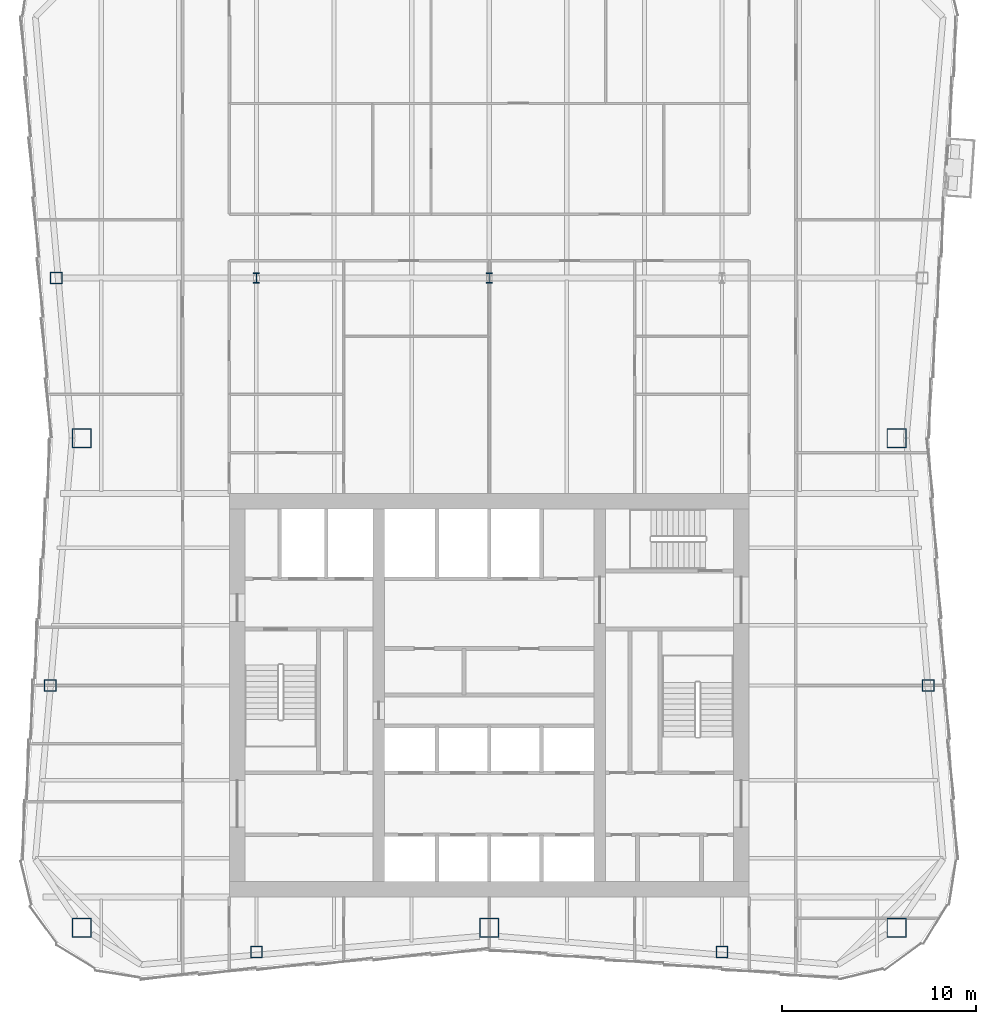
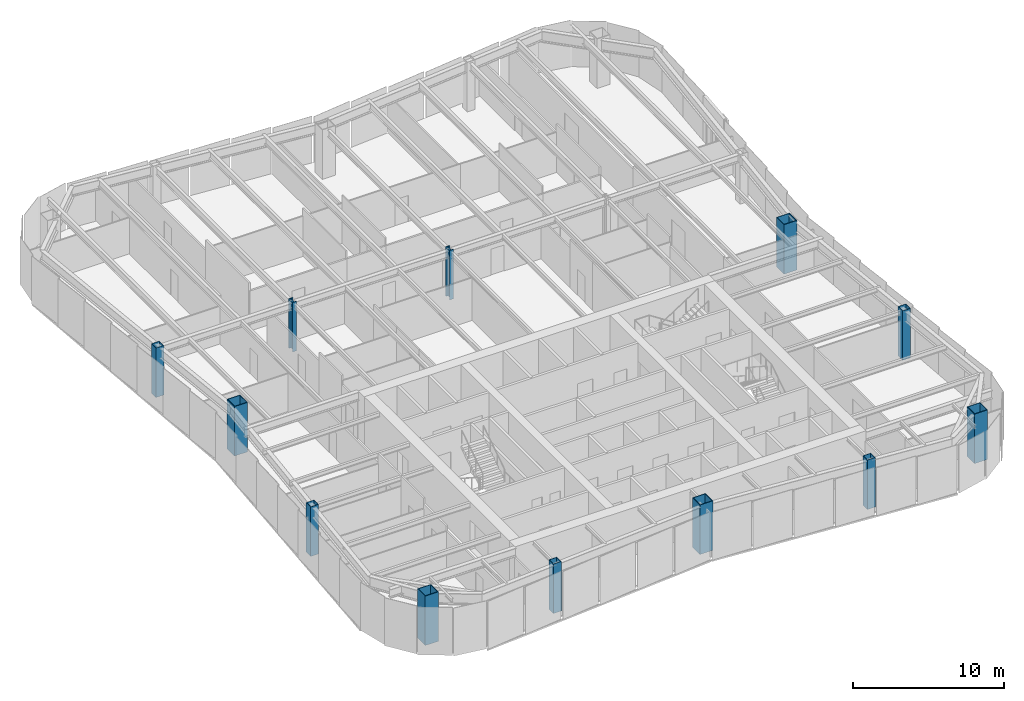
# One storey, part 1 of 11: 12 columns.
"""IFC4 building model written with IfcOpenShell, lengths in metres."""

from ifc_helpers import new_model, si_unit, direction, frame, origin, origin_2d, place, context, subcontext, project, spatial, hollow_rectangle, i_section, extrude, material, material_profile, profile_set, type_object, element, save


model = new_model("IFC4")

# Units and contexts
model_context = context("Model", 3, precision=1e-05, world=origin(), true_north=direction((0.0, 1.0)))
body_context = subcontext(model_context, "Body", "Model", "MODEL_VIEW")
ifc_project = project(units=[si_unit("LENGTHUNIT", "METRE"), si_unit("AREAUNIT", "SQUARE_METRE"), si_unit("VOLUMEUNIT", "CUBIC_METRE"), si_unit("PLANEANGLEUNIT", "RADIAN"), si_unit("MASSUNIT", "GRAM", prefix="KILO")], contexts=[model_context])

# Site, building, storey
site_placement = place(None, origin())
site = spatial("IfcSite", under=ifc_project, at=site_placement, CompositionType="ELEMENT")
building_placement = place(site_placement, origin())
building = spatial("IfcBuilding", under=site, at=building_placement, Name="Verdant Reach Tower", CompositionType="ELEMENT")
storey_placement = place(building_placement, frame((0.0, 0.0, 254.0)))
storey = spatial("IfcBuildingStorey", under=building, at=storey_placement, Name="L58", CompositionType="ELEMENT", Elevation=254.0)

# Columns
ifc_material = material(Name="Steel S460", Category="steel")
ifc_material_profile_1 = material_profile(ifc_material, i_section(OverallWidth=0.305908203125, OverallDepth=0.52392578125, WebThickness=0.012451171875, FlangeThickness=0.0400390625, FilletRadius=0.027099609375, at=origin_2d()), Name="HEM 500")
ifc_profile_set_1 = profile_set([ifc_material_profile_1], Name="Steel S460")
column_type_1 = type_object("IfcColumnType", Name="ST-COL-HEM500", PredefinedType="COLUMN", material=ifc_profile_set_1)
for number, where, z_axis, x_axis, name in (
    (1, (-12.0, 49.5, 0.0), (0.0, 0.0, 1.0), (1.0, 0.0, 0.0), "Interior column 1, L58"),
    (2, (0.0, 49.5, 0.0), (0.0, 0.0, 1.0), (1.0, 0.0, 0.0), "Interior column 2, L58"),
):
    element("IfcColumn", number, at=place(storey_placement, frame(where, z_axis=z_axis, x_axis=x_axis)), inside=storey, type_object=column_type_1, Name=name, PredefinedType="COLUMN", context=body_context, shape_type="SweptSolid", body=[
        extrude(i_section(OverallWidth=0.305908203125, OverallDepth=0.52392578125, WebThickness=0.012451171875, FlangeThickness=0.0400390625, FilletRadius=0.027099609375, at=origin_2d()), origin(), (0.0, 0.0, 1.0), 4.0),
    ])
ifc_material_profile_2 = material_profile(ifc_material, hollow_rectangle(XDim=1.0, YDim=1.0, WallThickness=0.044921875, at=origin_2d()), Name="WB 1000x1000x45")
ifc_profile_set_2 = profile_set([ifc_material_profile_2], Name="Steel S460")
column_type_2 = type_object("IfcColumnType", Name="ST-COL-WB1000x1000x45", PredefinedType="COLUMN", material=ifc_profile_set_2)
for number, where, z_axis, x_axis, name in (
    (3, (21.0, 41.25, 0.0), (0.0, 0.0, 1.0), (1.0, 0.0, 0.0), "Mega column east, L58"),
    (4, (21.0, 16.0, 0.0), (0.0, 0.0, 1.0), (1.0, 0.0, 0.0), "Mega column south-east, L58"),
    (5, (0.0, 16.0, 0.0), (0.0, 0.0, 1.0), (1.0, 0.0, 0.0), "Mega column south, L58"),
    (6, (-21.0, 16.0, 0.0), (0.0, 0.0, 1.0), (1.0, 0.0, 0.0), "Mega column south-west, L58"),
    (7, (-21.0, 41.25, 0.0), (0.0, 0.0, 1.0), (1.0, 0.0, 0.0), "Mega column west, L58"),
):
    element("IfcColumn", number, at=place(storey_placement, frame(where, z_axis=z_axis, x_axis=x_axis)), inside=storey, type_object=column_type_2, Name=name, PredefinedType="COLUMN", context=body_context, shape_type="SweptSolid", body=[
        extrude(hollow_rectangle(XDim=1.0, YDim=1.0, WallThickness=0.044921875, at=origin_2d()), origin(), (0.0, 0.0, 1.0), 4.0),
    ])
ifc_material_profile_3 = material_profile(ifc_material, hollow_rectangle(XDim=0.60009765625, YDim=0.60009765625, WallThickness=0.02490234375, at=origin_2d()), Name="WB 600x600x25")
ifc_profile_set_3 = profile_set([ifc_material_profile_3], Name="Steel S460")
column_type_3 = type_object("IfcColumnType", Name="ST-COL-WB600x600x25", PredefinedType="COLUMN", material=ifc_profile_set_3)
for number, where, z_axis, x_axis, name in (
    (8, (-12.0, 14.75, 0.0), (0.0, 0.0, 1.0), (1.0, 0.0, 0.0), "Perimeter column south 1, L58"),
    (9, (12.0, 14.75, 0.0), (0.0, 0.0, 1.0), (1.0, 0.0, 0.0), "Perimeter column south 2, L58"),
    (10, (22.62939453125, 28.5, 0.0), (0.0, 0.0, 1.0), (1.0, 0.0, 0.0), "Perimeter column east 1, L58"),
    (11, (-22.62939453125, 28.5, 0.0), (0.0, 0.0, 1.0), (1.0, 0.0, 0.0), "Perimeter column west 1, L58"),
    (12, (-22.319091796875, 49.5, 0.0), (0.0, 0.0, 1.0), (1.0, 0.0, 0.0), "Perimeter column west 2, L58"),
):
    element("IfcColumn", number, at=place(storey_placement, frame(where, z_axis=z_axis, x_axis=x_axis)), inside=storey, type_object=column_type_3, Name=name, PredefinedType="COLUMN", context=body_context, shape_type="SweptSolid", body=[
        extrude(hollow_rectangle(XDim=0.60009765625, YDim=0.60009765625, WallThickness=0.02490234375, at=origin_2d()), origin(), (0.0, 0.0, 1.0), 4.0),
    ])

save(model, "model.ifc")
